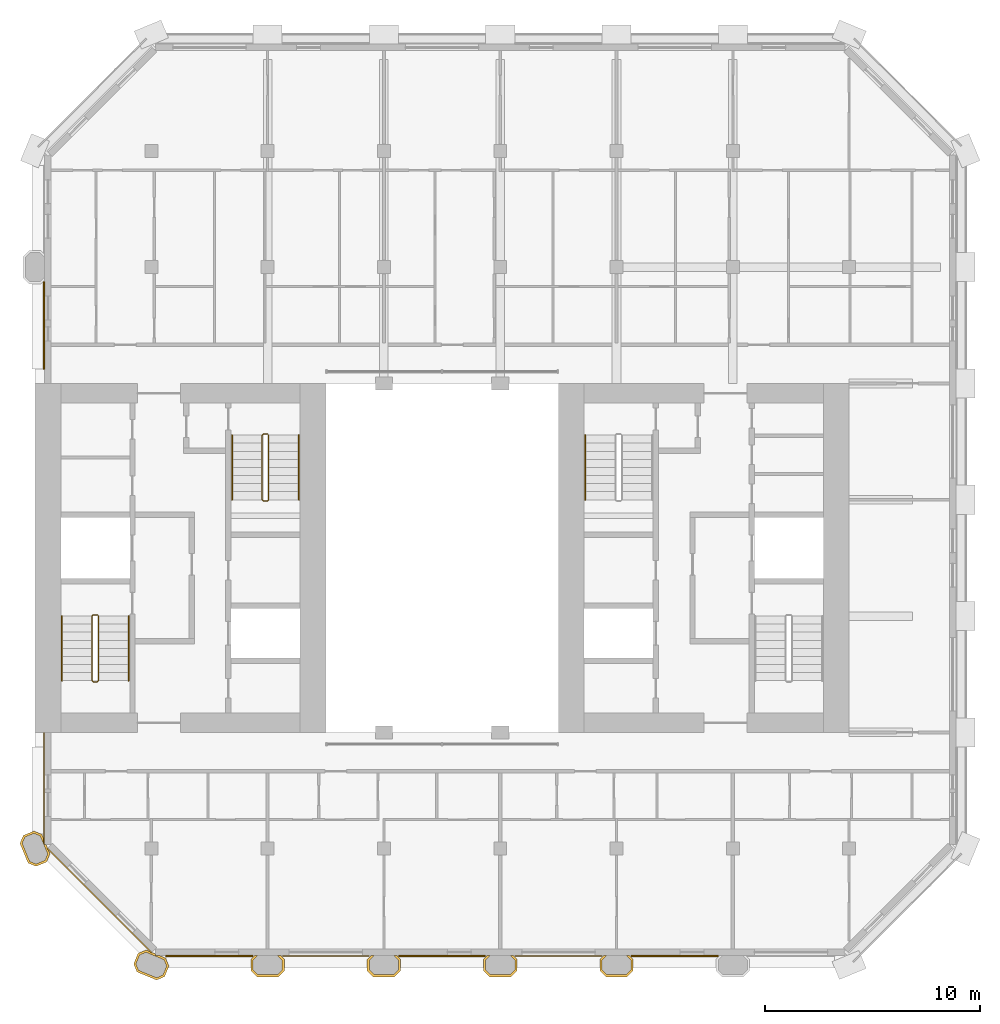
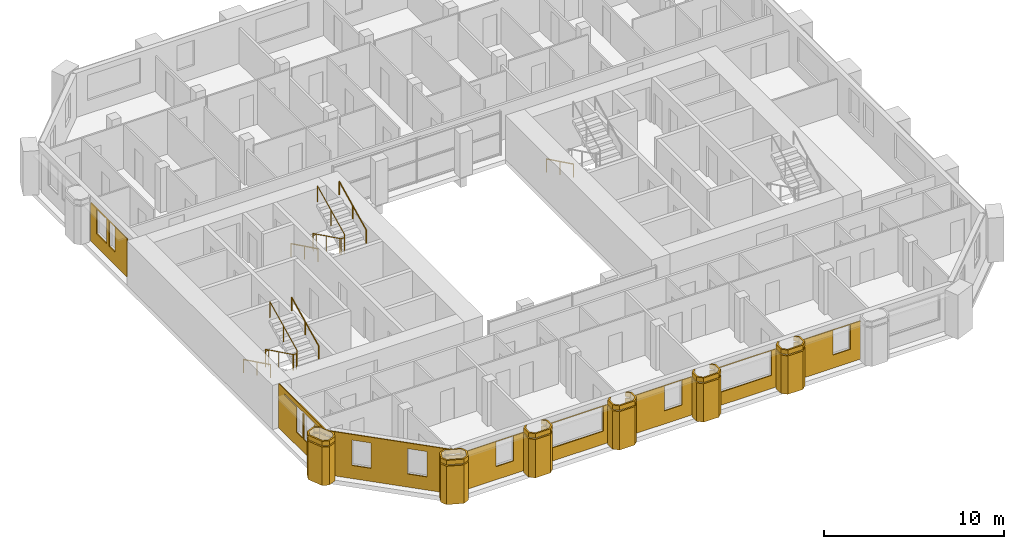
# One storey, part 11 of 13: 20 coverings, 7 railings.
"""IFC4 building model written with IfcOpenShell, lengths in metres."""

from ifc_helpers import new_model, si_unit, direction, frame, origin, origin_2d, place, context, subcontext, project, spatial, polyline, circle, outline, extrude, material, layer, layer_set, type_object, element, save


model = new_model("IFC4")

# Units and contexts
model_context = context("Model", 3, precision=1e-05, world=origin(), true_north=direction((0.0, 1.0)))
body_context = subcontext(model_context, "Body", "Model", "MODEL_VIEW")
ifc_project = project(units=[si_unit("LENGTHUNIT", "METRE"), si_unit("AREAUNIT", "SQUARE_METRE"), si_unit("VOLUMEUNIT", "CUBIC_METRE"), si_unit("PLANEANGLEUNIT", "RADIAN"), si_unit("MASSUNIT", "GRAM", prefix="KILO")], contexts=[model_context])

# Site, building, storey
site_placement = place(None, origin())
site = spatial("IfcSite", under=ifc_project, at=site_placement, CompositionType="ELEMENT")
building_placement = place(site_placement, origin())
building = spatial("IfcBuilding", under=site, at=building_placement, Name="Tabaq Tower and Sports Hall", CompositionType="ELEMENT")
storey_placement = place(building_placement, frame((0.0, 0.0, 298.300048828125)))
storey = spatial("IfcBuildingStorey", under=building, at=storey_placement, Name="L74", CompositionType="ELEMENT", Elevation=298.300048828125)

# Coverings
ifc_material_1 = material(Name="Precast concrete C60/75", Category="concrete")
ifc_layer_1 = layer(ifc_material_1, 0.10009765625)
ifc_layer_set_1 = layer_set([ifc_layer_1], Name="Column cladding 100")
covering_type_1 = type_object("IfcCoveringType", Name="Column cladding 100", PredefinedType="CLADDING", material=ifc_layer_set_1)
covering_1_placement = place(storey_placement, origin())
element("IfcCovering", 1, at=covering_1_placement, inside=storey, type_object=covering_type_1, Name="Column cladding L74 PC-2C-R2", PredefinedType="CLADDING", context=body_context, shape_type="SweptSolid", body=[
    extrude(outline(polyline([(5.450439453125, 9.982421875), (5.080078125, 10.1357421875), (4.7041015625, 11.04345703125), (4.857421875, 11.413818359375), (5.349609375, 11.61767578125), (5.7197265625, 11.46435546875), (5.789794921875, 11.295654296875), (5.789794921875, 11.04296875), (5.849609375, 11.04296875), (5.849609375, 10.986083984375), (5.91796875, 10.986083984375), (5.9814453125, 10.83251953125), (5.9501953125, 10.801025390625), (6.026123046875, 10.72509765625), (6.095947265625, 10.556396484375), (5.9423828125, 10.186279296875), (5.450439453125, 9.982421875)]), holes=[polyline([(5.349609375, 11.510009765625), (4.93359375, 11.337646484375), (4.811767578125, 11.04345703125), (5.15625, 10.2119140625), (5.450439453125, 10.08984375), (5.866455078125, 10.26220703125), (5.98828125, 10.556396484375), (5.643798828125, 11.38818359375), (5.349609375, 11.510009765625)])]), origin(), (0.0, 0.0, 1.0), 2.599853515625),
])
covering_2_placement = place(storey_placement, frame((0.0, 0.0, 2.699951171875)))
element("IfcCovering", 2, at=covering_2_placement, inside=storey, type_object=covering_type_1, Name="Column cladding L74 PC-2C-R2 2", PredefinedType="CLADDING", context=body_context, shape_type="SweptSolid", body=[
    extrude(outline(polyline([(5.450439453125, 9.982421875), (5.080078125, 10.1357421875), (4.7041015625, 11.04345703125), (4.857421875, 11.413818359375), (5.349609375, 11.61767578125), (5.7197265625, 11.46435546875), (5.789794921875, 11.295654296875), (5.789794921875, 11.04296875), (5.849609375, 11.04296875), (5.849609375, 10.986083984375), (5.91796875, 10.986083984375), (5.9814453125, 10.83251953125), (5.9501953125, 10.801025390625), (6.026123046875, 10.72509765625), (6.095947265625, 10.556396484375), (5.9423828125, 10.186279296875), (5.450439453125, 9.982421875)]), holes=[polyline([(5.349609375, 11.510009765625), (4.93359375, 11.337646484375), (4.811767578125, 11.04345703125), (5.15625, 10.2119140625), (5.450439453125, 10.08984375), (5.866455078125, 10.26220703125), (5.98828125, 10.556396484375), (5.643798828125, 11.38818359375), (5.349609375, 11.510009765625)])]), origin(), (0.0, 0.0, 1.0), 0.300048828125),
])
covering_3_placement = place(storey_placement, origin())
element("IfcCovering", 3, at=covering_3_placement, inside=storey, type_object=covering_type_1, Name="Column cladding L74 PC-3B-R2", PredefinedType="CLADDING", context=body_context, shape_type="SweptSolid", body=[
    extrude(outline(polyline([(11.413818359375, 4.857421875), (11.04345703125, 4.7041015625), (10.1357421875, 5.080078125), (9.982421875, 5.450439453125), (10.186279296875, 5.9423828125), (10.556396484375, 6.095947265625), (10.72509765625, 6.026123046875), (10.801025390625, 5.9501953125), (10.83251953125, 5.9814453125), (10.986083984375, 5.91796875), (10.986083984375, 5.849609375), (11.15087890625, 5.849609375), (11.46435546875, 5.7197265625), (11.61767578125, 5.349609375), (11.413818359375, 4.857421875)]), holes=[polyline([(10.26220703125, 5.866455078125), (10.08984375, 5.450439453125), (10.2119140625, 5.15625), (11.04345703125, 4.811767578125), (11.337646484375, 4.93359375), (11.510009765625, 5.349609375), (11.38818359375, 5.643798828125), (10.556396484375, 5.98828125), (10.26220703125, 5.866455078125)])]), origin(), (0.0, 0.0, 1.0), 2.599853515625),
])
covering_4_placement = place(storey_placement, frame((0.0, 0.0, 2.699951171875)))
element("IfcCovering", 4, at=covering_4_placement, inside=storey, type_object=covering_type_1, Name="Column cladding L74 PC-3B-R2 2", PredefinedType="CLADDING", context=body_context, shape_type="SweptSolid", body=[
    extrude(outline(polyline([(11.413818359375, 4.857421875), (11.04345703125, 4.7041015625), (10.1357421875, 5.080078125), (9.982421875, 5.450439453125), (10.186279296875, 5.9423828125), (10.556396484375, 6.095947265625), (10.72509765625, 6.026123046875), (10.801025390625, 5.9501953125), (10.83251953125, 5.9814453125), (10.986083984375, 5.91796875), (10.986083984375, 5.849609375), (11.15087890625, 5.849609375), (11.46435546875, 5.7197265625), (11.61767578125, 5.349609375), (11.413818359375, 4.857421875)]), holes=[polyline([(10.26220703125, 5.866455078125), (10.08984375, 5.450439453125), (10.2119140625, 5.15625), (11.04345703125, 4.811767578125), (11.337646484375, 4.93359375), (11.510009765625, 5.349609375), (11.38818359375, 5.643798828125), (10.556396484375, 5.98828125), (10.26220703125, 5.866455078125)])]), origin(), (0.0, 0.0, 1.0), 0.300048828125),
])
covering_5_placement = place(storey_placement, origin())
element("IfcCovering", 5, at=covering_5_placement, inside=storey, type_object=covering_type_1, Name="Column cladding L74 PC-4B-R2", PredefinedType="CLADDING", context=body_context, shape_type="SweptSolid", body=[
    extrude(outline(polyline([(15.42529296875, 5.666259765625), (15.608642578125, 5.849609375), (15.749267578125, 5.849609375), (15.524658203125, 5.625244140625), (15.524658203125, 5.1748046875), (15.749755859375, 4.94970703125), (16.650146484375, 4.94970703125), (16.875244140625, 5.1748046875), (16.875244140625, 5.625244140625), (16.650634765625, 5.849609375), (16.791259765625, 5.849609375), (16.974609375, 5.666259765625), (16.974609375, 5.1337890625), (16.69140625, 4.850341796875), (15.708740234375, 4.850341796875), (15.42529296875, 5.1337890625), (15.42529296875, 5.666259765625)])), origin(), (0.0, 0.0, 1.0), 2.599853515625),
])
covering_6_placement = place(storey_placement, frame((0.0, 0.0, 2.699951171875)))
element("IfcCovering", 6, at=covering_6_placement, inside=storey, type_object=covering_type_1, Name="Column cladding L74 PC-4B-R2 2", PredefinedType="CLADDING", context=body_context, shape_type="SweptSolid", body=[
    extrude(outline(polyline([(15.42529296875, 5.666259765625), (15.608642578125, 5.849609375), (15.749267578125, 5.849609375), (15.524658203125, 5.625244140625), (15.524658203125, 5.1748046875), (15.749755859375, 4.94970703125), (16.650146484375, 4.94970703125), (16.875244140625, 5.1748046875), (16.875244140625, 5.625244140625), (16.650634765625, 5.849609375), (16.791259765625, 5.849609375), (16.974609375, 5.666259765625), (16.974609375, 5.1337890625), (16.69140625, 4.850341796875), (15.708740234375, 4.850341796875), (15.42529296875, 5.1337890625), (15.42529296875, 5.666259765625)])), origin(), (0.0, 0.0, 1.0), 0.300048828125),
])
covering_7_placement = place(storey_placement, origin())
element("IfcCovering", 7, at=covering_7_placement, inside=storey, type_object=covering_type_1, Name="Column cladding L74 PC-5B-R2", PredefinedType="CLADDING", context=body_context, shape_type="SweptSolid", body=[
    extrude(outline(polyline([(20.8251953125, 5.666259765625), (21.0087890625, 5.849609375), (21.149169921875, 5.849609375), (20.9248046875, 5.625244140625), (20.9248046875, 5.1748046875), (21.14990234375, 4.94970703125), (22.050048828125, 4.94970703125), (22.275390625, 5.1748046875), (22.275390625, 5.625244140625), (22.05078125, 5.849609375), (22.19140625, 5.849609375), (22.374755859375, 5.666259765625), (22.374755859375, 5.1337890625), (22.09130859375, 4.850341796875), (21.108642578125, 4.850341796875), (20.8251953125, 5.1337890625), (20.8251953125, 5.666259765625)])), origin(), (0.0, 0.0, 1.0), 2.599853515625),
])
covering_8_placement = place(storey_placement, frame((0.0, 0.0, 2.699951171875)))
element("IfcCovering", 8, at=covering_8_placement, inside=storey, type_object=covering_type_1, Name="Column cladding L74 PC-5B-R2 2", PredefinedType="CLADDING", context=body_context, shape_type="SweptSolid", body=[
    extrude(outline(polyline([(20.8251953125, 5.666259765625), (21.0087890625, 5.849609375), (21.149169921875, 5.849609375), (20.9248046875, 5.625244140625), (20.9248046875, 5.1748046875), (21.14990234375, 4.94970703125), (22.050048828125, 4.94970703125), (22.275390625, 5.1748046875), (22.275390625, 5.625244140625), (22.05078125, 5.849609375), (22.19140625, 5.849609375), (22.374755859375, 5.666259765625), (22.374755859375, 5.1337890625), (22.09130859375, 4.850341796875), (21.108642578125, 4.850341796875), (20.8251953125, 5.1337890625), (20.8251953125, 5.666259765625)])), origin(), (0.0, 0.0, 1.0), 0.300048828125),
])
covering_9_placement = place(storey_placement, origin())
element("IfcCovering", 9, at=covering_9_placement, inside=storey, type_object=covering_type_1, Name="Column cladding L74 PC-6B-R2", PredefinedType="CLADDING", context=body_context, shape_type="SweptSolid", body=[
    extrude(outline(polyline([(26.225341796875, 5.666259765625), (26.40869140625, 5.849609375), (26.54931640625, 5.849609375), (26.32470703125, 5.625244140625), (26.32470703125, 5.1748046875), (26.5498046875, 4.94970703125), (27.4501953125, 4.94970703125), (27.67529296875, 5.1748046875), (27.67529296875, 5.625244140625), (27.45068359375, 5.849609375), (27.59130859375, 5.849609375), (27.774658203125, 5.666259765625), (27.774658203125, 5.1337890625), (27.4912109375, 4.850341796875), (26.5087890625, 4.850341796875), (26.225341796875, 5.1337890625), (26.225341796875, 5.666259765625)])), origin(), (0.0, 0.0, 1.0), 2.599853515625),
])
covering_10_placement = place(storey_placement, frame((0.0, 0.0, 2.699951171875)))
element("IfcCovering", 10, at=covering_10_placement, inside=storey, type_object=covering_type_1, Name="Column cladding L74 PC-6B-R2 2", PredefinedType="CLADDING", context=body_context, shape_type="SweptSolid", body=[
    extrude(outline(polyline([(26.225341796875, 5.666259765625), (26.40869140625, 5.849609375), (26.54931640625, 5.849609375), (26.32470703125, 5.625244140625), (26.32470703125, 5.1748046875), (26.5498046875, 4.94970703125), (27.4501953125, 4.94970703125), (27.67529296875, 5.1748046875), (27.67529296875, 5.625244140625), (27.45068359375, 5.849609375), (27.59130859375, 5.849609375), (27.774658203125, 5.666259765625), (27.774658203125, 5.1337890625), (27.4912109375, 4.850341796875), (26.5087890625, 4.850341796875), (26.225341796875, 5.1337890625), (26.225341796875, 5.666259765625)])), origin(), (0.0, 0.0, 1.0), 0.300048828125),
])
covering_11_placement = place(storey_placement, origin())
element("IfcCovering", 11, at=covering_11_placement, inside=storey, type_object=covering_type_1, Name="Column cladding L74 PC-7B-R2", PredefinedType="CLADDING", context=body_context, shape_type="SweptSolid", body=[
    extrude(outline(polyline([(31.625244140625, 5.666259765625), (31.80859375, 5.849609375), (31.94921875, 5.849609375), (31.724609375, 5.625244140625), (31.724609375, 5.1748046875), (31.949951171875, 4.94970703125), (32.85009765625, 4.94970703125), (33.0751953125, 5.1748046875), (33.0751953125, 5.625244140625), (32.850830078125, 5.849609375), (32.9912109375, 5.849609375), (33.1748046875, 5.666259765625), (33.1748046875, 5.1337890625), (32.891357421875, 4.850341796875), (31.90869140625, 4.850341796875), (31.625244140625, 5.1337890625), (31.625244140625, 5.666259765625)])), origin(), (0.0, 0.0, 1.0), 2.599853515625),
])
covering_12_placement = place(storey_placement, frame((0.0, 0.0, 2.699951171875)))
element("IfcCovering", 12, at=covering_12_placement, inside=storey, type_object=covering_type_1, Name="Column cladding L74 PC-7B-R2 2", PredefinedType="CLADDING", context=body_context, shape_type="SweptSolid", body=[
    extrude(outline(polyline([(31.625244140625, 5.666259765625), (31.80859375, 5.849609375), (31.94921875, 5.849609375), (31.724609375, 5.625244140625), (31.724609375, 5.1748046875), (31.949951171875, 4.94970703125), (32.85009765625, 4.94970703125), (33.0751953125, 5.1748046875), (33.0751953125, 5.625244140625), (32.850830078125, 5.849609375), (32.9912109375, 5.849609375), (33.1748046875, 5.666259765625), (33.1748046875, 5.1337890625), (32.891357421875, 4.850341796875), (31.90869140625, 4.850341796875), (31.625244140625, 5.1337890625), (31.625244140625, 5.666259765625)])), origin(), (0.0, 0.0, 1.0), 0.300048828125),
])

# Railings
ifc_material_2 = material(Name="Stainless steel", Category="steel")
railing_type_1 = type_object("IfcRailingType", Name="Stair guard", PredefinedType="GUARDRAIL", material=ifc_material_2)
railing_1_placement = place(storey_placement, frame((8.300048828125, 21.64990234375, 0.0)))
element("IfcRailing", 13, at=railing_1_placement, inside=storey, type_object=railing_type_1, Name="L74 ST1 stair guard 1", PredefinedType="GUARDRAIL", context=body_context, shape_type="SweptSolid", body=[
    extrude(circle(Radius=0.02392578125, at=origin_2d()), frame((0.0, 0.0, 1.076171875), z_axis=(-1.0, 0.0, 0.0), x_axis=(0.0, -1.0, 0.0)), (0.0, 0.0, 1.0), 0.199951171875),
    extrude(circle(Radius=0.02392578125, at=origin_2d()), frame((-0.199951171875, 0.0, 1.076171875), z_axis=(-0.254733673405, -0.25349107012, 0.933195066962), x_axis=(0.705375805398, -0.708833529934, 0.0)), (0.0, 0.0, 1.0), 0.196533203125),
    extrude(circle(Radius=0.02392578125, at=origin_2d()), frame((-0.25, -0.0498046875, 1.25927734375), z_axis=(0.0, -0.898397823093, 0.439182594671), x_axis=(1.0, 0.0, 0.0)), (0.0, 0.0, 1.0), 3.33935546875),
    extrude(circle(Radius=0.02392578125, at=origin_2d()), frame((-0.25, -3.0498046875, 2.72607421875), z_axis=(0.707106781187, -0.707106781187, 0.0), x_axis=(0.707106781187, 0.707106781187, 0.0)), (0.0, 0.0, 1.0), 0.07080078125),
    extrude(circle(Radius=0.02392578125, at=origin_2d()), frame((-0.199951171875, -3.099853515625, 2.72607421875), z_axis=(1.0, 0.0, 0.0), x_axis=(0.0, 1.0, 0.0)), (0.0, 0.0, 1.0), 0.199951171875),
    extrude(circle(Radius=0.02392578125, at=origin_2d()), frame((0.0, -3.099853515625, 2.72607421875), z_axis=(0.254653276557, 0.254653276557, 0.932900539971), x_axis=(-0.707106781187, 0.707106781187, 0.0)), (0.0, 0.0, 1.0), 0.196533203125),
    extrude(circle(Radius=0.02392578125, at=origin_2d()), frame((0.050048828125, -3.0498046875, 2.9091796875), z_axis=(0.0, 0.898368975038, 0.439241601728), x_axis=(-1.0, 0.0, 0.0)), (0.0, 0.0, 1.0), 3.33935546875),
    extrude(circle(Radius=0.02099609375, at=origin_2d()), origin(), (0.0, 0.0, 1.0), 1.052001953125),
    extrude(circle(Radius=0.02099609375, at=origin_2d()), frame((-0.199951171875, 0.0, 0.0)), (0.0, 0.0, 1.0), 1.052001953125),
    extrude(circle(Radius=0.02099609375, at=origin_2d()), frame((-0.25, -0.0498046875, 0.183349609375)), (0.0, 0.0, 1.0), 1.052001953125),
    extrude(circle(Radius=0.02099609375, at=origin_2d()), frame((-0.25, -1.5498046875, 0.91650390625)), (0.0, 0.0, 1.0), 1.052001953125),
    extrude(circle(Radius=0.02099609375, at=origin_2d()), frame((-0.25, -3.0498046875, 1.64990234375)), (0.0, 0.0, 1.0), 1.052001953125),
    extrude(circle(Radius=0.02099609375, at=origin_2d()), frame((-0.199951171875, -3.099853515625, 1.64990234375)), (0.0, 0.0, 1.0), 1.052001953125),
    extrude(circle(Radius=0.02099609375, at=origin_2d()), frame((0.0, -3.099853515625, 1.64990234375)), (0.0, 0.0, 1.0), 1.052001953125),
    extrude(circle(Radius=0.02099609375, at=origin_2d()), frame((0.050048828125, -3.0498046875, 1.833251953125)), (0.0, 0.0, 1.0), 1.052001953125),
    extrude(circle(Radius=0.02099609375, at=origin_2d()), frame((0.050048828125, -1.5498046875, 2.566650390625)), (0.0, 0.0, 1.0), 1.052001953125),
    extrude(circle(Radius=0.02099609375, at=origin_2d()), frame((0.050048828125, -0.0498046875, 3.300048828125)), (0.0, 0.0, 1.0), 1.052001953125),
])
railing_2_placement = place(storey_placement, frame((16.199951171875, 30.050048828125, 0.0)))
element("IfcRailing", 14, at=railing_2_placement, inside=storey, type_object=railing_type_1, Name="L74 ST2 stair guard 1", PredefinedType="GUARDRAIL", context=body_context, shape_type="SweptSolid", body=[
    extrude(circle(Radius=0.02392578125, at=origin_2d()), frame((0.0, 0.0, 1.076171875), z_axis=(-1.0, 0.0, 0.0), x_axis=(0.0, -1.0, 0.0)), (0.0, 0.0, 1.0), 0.199951171875),
    extrude(circle(Radius=0.02392578125, at=origin_2d()), frame((-0.199951171875, 0.0, 1.076171875), z_axis=(-0.254653276557, -0.254653276557, 0.932900539971), x_axis=(0.707106781187, -0.707106781187, 0.0)), (0.0, 0.0, 1.0), 0.196533203125),
    extrude(circle(Radius=0.02392578125, at=origin_2d()), frame((-0.25, -0.050048828125, 1.25927734375), z_axis=(0.0, -0.898397823093, 0.439182594671), x_axis=(1.0, 0.0, 0.0)), (0.0, 0.0, 1.0), 3.33935546875),
    extrude(circle(Radius=0.02392578125, at=origin_2d()), frame((-0.25, -3.050048828125, 2.72607421875), z_axis=(0.707106781187, -0.707106781187, 0.0), x_axis=(0.707106781187, 0.707106781187, 0.0)), (0.0, 0.0, 1.0), 0.07080078125),
    extrude(circle(Radius=0.02392578125, at=origin_2d()), frame((-0.199951171875, -3.10009765625, 2.72607421875), z_axis=(1.0, 0.0, 0.0), x_axis=(0.0, 1.0, 0.0)), (0.0, 0.0, 1.0), 0.199951171875),
    extrude(circle(Radius=0.02392578125, at=origin_2d()), frame((0.0, -3.10009765625, 2.72607421875), z_axis=(0.254653276557, 0.254653276557, 0.932900539971), x_axis=(-0.707106781187, 0.707106781187, 0.0)), (0.0, 0.0, 1.0), 0.196533203125),
    extrude(circle(Radius=0.02392578125, at=origin_2d()), frame((0.050048828125, -3.050048828125, 2.9091796875), z_axis=(0.0, 0.898368975038, 0.439241601728), x_axis=(-1.0, 0.0, 0.0)), (0.0, 0.0, 1.0), 3.33935546875),
    extrude(circle(Radius=0.02099609375, at=origin_2d()), origin(), (0.0, 0.0, 1.0), 1.052001953125),
    extrude(circle(Radius=0.02099609375, at=origin_2d()), frame((-0.199951171875, 0.0, 0.0)), (0.0, 0.0, 1.0), 1.052001953125),
    extrude(circle(Radius=0.02099609375, at=origin_2d()), frame((-0.25, -0.050048828125, 0.183349609375)), (0.0, 0.0, 1.0), 1.052001953125),
    extrude(circle(Radius=0.02099609375, at=origin_2d()), frame((-0.25, -1.550048828125, 0.91650390625)), (0.0, 0.0, 1.0), 1.052001953125),
    extrude(circle(Radius=0.02099609375, at=origin_2d()), frame((-0.25, -3.050048828125, 1.64990234375)), (0.0, 0.0, 1.0), 1.052001953125),
    extrude(circle(Radius=0.02099609375, at=origin_2d()), frame((-0.199951171875, -3.10009765625, 1.64990234375)), (0.0, 0.0, 1.0), 1.052001953125),
    extrude(circle(Radius=0.02099609375, at=origin_2d()), frame((0.0, -3.10009765625, 1.64990234375)), (0.0, 0.0, 1.0), 1.052001953125),
    extrude(circle(Radius=0.02099609375, at=origin_2d()), frame((0.050048828125, -3.050048828125, 1.833251953125)), (0.0, 0.0, 1.0), 1.052001953125),
    extrude(circle(Radius=0.02099609375, at=origin_2d()), frame((0.050048828125, -1.550048828125, 2.566650390625)), (0.0, 0.0, 1.0), 1.052001953125),
    extrude(circle(Radius=0.02099609375, at=origin_2d()), frame((0.050048828125, -0.050048828125, 3.300048828125)), (0.0, 0.0, 1.0), 1.052001953125),
])
ifc_material_3 = material(Name="Stainless steel", Category="steel")
railing_type_2 = type_object("IfcRailingType", Name="Stair handrail", PredefinedType="HANDRAIL", material=ifc_material_3)
railing_3_placement = place(storey_placement, frame((6.64990234375, 21.60009765625, 0.183349609375)))
element("IfcRailing", 15, at=railing_3_placement, inside=storey, type_object=railing_type_2, Name="L74 ST1 stair handrail 1", PredefinedType="HANDRAIL", context=body_context, shape_type="SweptSolid", body=[
    extrude(circle(Radius=0.02392578125, at=origin_2d()), frame((0.0, 0.0, 0.8759765625), z_axis=(0.0, -0.898397823093, 0.439182594671), x_axis=(1.0, 0.0, 0.0)), (0.0, 0.0, 1.0), 3.33935546875),
    extrude(circle(Radius=0.02099609375, at=origin_2d()), origin(), (0.0, 0.0, 1.0), 0.851806640625),
    extrude(circle(Radius=0.02099609375, at=origin_2d()), frame((0.0, -1.5, 0.7333984375)), (0.0, 0.0, 1.0), 0.851806640625),
    extrude(circle(Radius=0.02099609375, at=origin_2d()), frame((0.0, -3.0, 1.466552734375)), (0.0, 0.0, 1.0), 0.851806640625),
])
railing_4_placement = place(storey_placement, frame((9.75, 18.60009765625, 1.833251953125)))
element("IfcRailing", 16, at=railing_4_placement, inside=storey, type_object=railing_type_2, Name="L74 ST1 stair handrail 2", PredefinedType="HANDRAIL", context=body_context, shape_type="SweptSolid", body=[
    extrude(circle(Radius=0.02392578125, at=origin_2d()), frame((0.0, 0.0, 0.8759765625), z_axis=(0.0, 0.898368975038, 0.439241601728), x_axis=(-1.0, 0.0, 0.0)), (0.0, 0.0, 1.0), 3.33935546875),
    extrude(circle(Radius=0.02099609375, at=origin_2d()), origin(), (0.0, 0.0, 1.0), 0.851806640625),
    extrude(circle(Radius=0.02099609375, at=origin_2d()), frame((0.0, 1.5, 0.7333984375)), (0.0, 0.0, 1.0), 0.851806640625),
    extrude(circle(Radius=0.02099609375, at=origin_2d()), frame((0.0, 3.0, 1.466796875)), (0.0, 0.0, 1.0), 0.851806640625),
])
railing_5_placement = place(storey_placement, frame((14.550048828125, 30.0, 0.183349609375)))
element("IfcRailing", 17, at=railing_5_placement, inside=storey, type_object=railing_type_2, Name="L74 ST2 stair handrail 1", PredefinedType="HANDRAIL", context=body_context, shape_type="SweptSolid", body=[
    extrude(circle(Radius=0.02392578125, at=origin_2d()), frame((0.0, 0.0, 0.8759765625), z_axis=(0.0, -0.898397823093, 0.439182594671), x_axis=(1.0, 0.0, 0.0)), (0.0, 0.0, 1.0), 3.33935546875),
    extrude(circle(Radius=0.02099609375, at=origin_2d()), origin(), (0.0, 0.0, 1.0), 0.851806640625),
    extrude(circle(Radius=0.02099609375, at=origin_2d()), frame((0.0, -1.5, 0.7333984375)), (0.0, 0.0, 1.0), 0.851806640625),
    extrude(circle(Radius=0.02099609375, at=origin_2d()), frame((0.0, -3.0, 1.466552734375)), (0.0, 0.0, 1.0), 0.851806640625),
])
railing_6_placement = place(storey_placement, frame((17.64990234375, 27.0, 1.833251953125)))
element("IfcRailing", 18, at=railing_6_placement, inside=storey, type_object=railing_type_2, Name="L74 ST2 stair handrail 2", PredefinedType="HANDRAIL", context=body_context, shape_type="SweptSolid", body=[
    extrude(circle(Radius=0.02392578125, at=origin_2d()), frame((0.0, 0.0, 0.8759765625), z_axis=(0.0, 0.898368975038, 0.439241601728), x_axis=(-1.0, 0.0, 0.0)), (0.0, 0.0, 1.0), 3.33935546875),
    extrude(circle(Radius=0.02099609375, at=origin_2d()), origin(), (0.0, 0.0, 1.0), 0.851806640625),
    extrude(circle(Radius=0.02099609375, at=origin_2d()), frame((0.0, 1.5, 0.7333984375)), (0.0, 0.0, 1.0), 0.851806640625),
    extrude(circle(Radius=0.02099609375, at=origin_2d()), frame((0.0, 3.0, 1.466796875)), (0.0, 0.0, 1.0), 0.851806640625),
])
railing_7_placement = place(storey_placement, frame((30.949951171875, 30.0, 0.183349609375)))
element("IfcRailing", 19, at=railing_7_placement, inside=storey, type_object=railing_type_2, Name="L74 ST4 stair handrail 1", PredefinedType="HANDRAIL", context=body_context, shape_type="SweptSolid", body=[
    extrude(circle(Radius=0.02392578125, at=origin_2d()), frame((0.0, 0.0, 0.8759765625), z_axis=(0.0, -0.898397823093, 0.439182594671), x_axis=(1.0, 0.0, 0.0)), (0.0, 0.0, 1.0), 3.33935546875),
    extrude(circle(Radius=0.02099609375, at=origin_2d()), origin(), (0.0, 0.0, 1.0), 0.851806640625),
    extrude(circle(Radius=0.02099609375, at=origin_2d()), frame((0.0, -1.5, 0.7333984375)), (0.0, 0.0, 1.0), 0.851806640625),
    extrude(circle(Radius=0.02099609375, at=origin_2d()), frame((0.0, -3.0, 1.466552734375)), (0.0, 0.0, 1.0), 0.851806640625),
])

# Coverings
ifc_material_4 = material(Name="Precast concrete C60/75", Category="concrete")
ifc_layer_2 = layer(ifc_material_4, 0.06005859375)
ifc_layer_set_2 = layer_set([ifc_layer_2], Name="White precast cladding panel 60 C60/75")
covering_type_2 = type_object("IfcCoveringType", Name="White precast cladding panel 60 C60/75", PredefinedType="CLADDING", material=ifc_layer_set_2)
covering_13_placement = place(storey_placement, frame((11.465087890625, 5.820068359375, 0.0), z_axis=(0.0, 0.0, 1.0), x_axis=(1.0, 0.0, 0.0)))
element("IfcCovering", 20, at=covering_13_placement, inside=storey, type_object=covering_type_2, Name="White precast cladding panel L74 wall00", PredefinedType="CLADDING", context=body_context, shape_type="SweptSolid", body=[
    extrude(outline(polyline([(0.0, 0.0), (4.0498046875, 0.0), (4.0498046875, 2.58984375), (0.0, 2.58984375), (0.0, 0.0)]), holes=[polyline([(3.39501953125, 0.889892578125), (2.27490234375, 0.889892578125), (2.27490234375, 2.56005859375), (3.39501953125, 2.56005859375), (3.39501953125, 0.889892578125)])]), frame((0.0, 0.030029296875, 0.0), z_axis=(0.0, -1.0, 0.0), x_axis=(1.0, 0.0, 0.0)), (0.0, 0.0, 1.0), 0.06005859375),
])
covering_14_placement = place(storey_placement, frame((16.885009765625, 5.820068359375, 0.0), z_axis=(0.0, 0.0, 1.0), x_axis=(1.0, 0.0, 0.0)))
element("IfcCovering", 21, at=covering_14_placement, inside=storey, type_object=covering_type_2, Name="White precast cladding panel L74 wall00 2", PredefinedType="CLADDING", context=body_context, shape_type="SweptSolid", body=[
    extrude(outline(polyline([(0.0, 0.0), (4.030029296875, 0.0), (4.030029296875, 2.58984375), (0.0, 2.58984375), (0.0, 0.0)]), holes=[polyline([(3.72509765625, 0.889892578125), (0.304931640625, 0.889892578125), (0.304931640625, 2.56005859375), (3.72509765625, 2.56005859375), (3.72509765625, 0.889892578125)])]), frame((0.0, 0.030029296875, 0.0), z_axis=(0.0, -1.0, 0.0), x_axis=(1.0, 0.0, 0.0)), (0.0, 0.0, 1.0), 0.06005859375),
])
covering_15_placement = place(storey_placement, frame((22.284912109375, 5.820068359375, 0.0), z_axis=(0.0, 0.0, 1.0), x_axis=(1.0, 0.0, 0.0)))
element("IfcCovering", 22, at=covering_15_placement, inside=storey, type_object=covering_type_2, Name="White precast cladding panel L74 wall00 3", PredefinedType="CLADDING", context=body_context, shape_type="SweptSolid", body=[
    extrude(outline(polyline([(0.0, 0.0), (4.030029296875, 0.0), (4.030029296875, 2.58984375), (0.0, 2.58984375), (0.0, 0.0)]), holes=[polyline([(3.375, 0.889892578125), (2.2548828125, 0.889892578125), (2.2548828125, 2.56005859375), (3.375, 2.56005859375), (3.375, 0.889892578125)])]), frame((0.0, 0.030029296875, 0.0), z_axis=(0.0, -1.0, 0.0), x_axis=(1.0, 0.0, 0.0)), (0.0, 0.0, 1.0), 0.06005859375),
])
covering_16_placement = place(storey_placement, frame((27.68505859375, 5.820068359375, 0.0), z_axis=(0.0, 0.0, 1.0), x_axis=(1.0, 0.0, 0.0)))
element("IfcCovering", 23, at=covering_16_placement, inside=storey, type_object=covering_type_2, Name="White precast cladding panel L74 wall00 4", PredefinedType="CLADDING", context=body_context, shape_type="SweptSolid", body=[
    extrude(outline(polyline([(0.0, 0.0), (4.030029296875, 0.0), (4.030029296875, 2.58984375), (0.0, 2.58984375), (0.0, 0.0)]), holes=[polyline([(3.72509765625, 0.889892578125), (0.304931640625, 0.889892578125), (0.304931640625, 2.56005859375), (3.72509765625, 2.56005859375), (3.72509765625, 0.889892578125)])]), frame((0.0, 0.030029296875, 0.0), z_axis=(0.0, -1.0, 0.0), x_axis=(1.0, 0.0, 0.0)), (0.0, 0.0, 1.0), 0.06005859375),
])
covering_17_placement = place(storey_placement, frame((33.0849609375, 5.820068359375, 0.0), z_axis=(0.0, 0.0, 1.0), x_axis=(1.0, 0.0, 0.0)))
element("IfcCovering", 24, at=covering_17_placement, inside=storey, type_object=covering_type_2, Name="White precast cladding panel L74 wall00 5", PredefinedType="CLADDING", context=body_context, shape_type="SweptSolid", body=[
    extrude(outline(polyline([(0.0, 0.0), (4.030029296875, 0.0), (4.030029296875, 2.58984375), (0.0, 2.58984375), (0.0, 0.0)]), holes=[polyline([(3.375, 0.889892578125), (2.2548828125, 0.889892578125), (2.2548828125, 2.56005859375), (3.375, 2.56005859375), (3.375, 0.889892578125)])]), frame((0.0, 0.030029296875, 0.0), z_axis=(0.0, -1.0, 0.0), x_axis=(1.0, 0.0, 0.0)), (0.0, 0.0, 1.0), 0.06005859375),
])
covering_18_placement = place(storey_placement, frame((5.820068359375, 37.114990234375, 0.0), z_axis=(0.0, 0.0, 1.0), x_axis=(0.0, -1.0, 0.0)))
element("IfcCovering", 25, at=covering_18_placement, inside=storey, type_object=covering_type_2, Name="White precast cladding panel L74 wall06 2", PredefinedType="CLADDING", context=body_context, shape_type="SweptSolid", body=[
    extrude(outline(polyline([(0.0, 0.0), (4.050048828125, 0.0), (4.050048828125, 2.58984375), (0.0, 2.58984375), (0.0, 0.0)]), holes=[polyline([(0.655029296875, 0.889892578125), (0.655029296875, 2.56005859375), (1.77490234375, 2.56005859375), (1.77490234375, 0.889892578125), (0.655029296875, 0.889892578125)]), polyline([(2.080078125, 0.889892578125), (2.080078125, 2.56005859375), (2.75, 2.56005859375), (2.75, 0.889892578125), (2.080078125, 0.889892578125)])]), frame((0.0, 0.030029296875, 0.0), z_axis=(0.0, -1.0, 0.0), x_axis=(1.0, 0.0, 0.0)), (0.0, 0.0, 1.0), 0.06005859375),
])
covering_19_placement = place(storey_placement, frame((5.820068359375, 16.199951171875, 0.0), z_axis=(0.0, 0.0, 1.0), x_axis=(0.0, -1.0, 0.0)))
element("IfcCovering", 26, at=covering_19_placement, inside=storey, type_object=covering_type_2, Name="White precast cladding panel L74 wall06-1", PredefinedType="CLADDING", context=body_context, shape_type="SweptSolid", body=[
    extrude(outline(polyline([(0.0, 0.0), (5.15673828125, 0.0), (5.15673828125, 3.0), (0.0, 3.0), (0.0, 0.0)]), holes=[polyline([(1.965087890625, 2.58984375), (0.6650390625, 2.58984375), (0.6650390625, 2.7099609375), (4.735107421875, 2.7099609375), (4.735107421875, 2.58984375), (3.909912109375, 2.58984375), (3.909912109375, 0.889892578125), (2.7900390625, 0.889892578125), (2.7900390625, 2.58984375), (2.635009765625, 2.58984375), (2.635009765625, 0.889892578125), (1.965087890625, 0.889892578125), (1.965087890625, 2.58984375)])]), frame((0.0, 0.030029296875, 0.0), z_axis=(0.0, -1.0, 0.0), x_axis=(1.0, 0.0, 0.0)), (0.0, 0.0, 1.0), 0.06005859375),
])
covering_20_placement = place(storey_placement, frame((5.9716796875, 10.822265625, 0.0), z_axis=(0.0, 0.0, 1.0), x_axis=(0.707106781187, -0.707106781187, 0.0)))
element("IfcCovering", 27, at=covering_20_placement, inside=storey, type_object=covering_type_2, Name="White precast cladding panel L74 wall07", PredefinedType="CLADDING", context=body_context, shape_type="SweptSolid", body=[
    extrude(outline(polyline([(0.0, 0.0), (6.85986328125, 0.0), (6.85986328125, 3.0), (0.0, 3.0), (0.0, 0.0)]), holes=[polyline([(1.269775390625, 2.60986328125), (2.389892578125, 2.60986328125), (2.389892578125, 0.889892578125), (1.269775390625, 0.889892578125), (1.269775390625, 2.60986328125)]), polyline([(4.4697265625, 2.60986328125), (5.58984375, 2.60986328125), (5.58984375, 0.889892578125), (4.4697265625, 0.889892578125), (4.4697265625, 2.60986328125)])]), frame((0.0, 0.030029296875, 0.0), z_axis=(0.0, -1.0, 0.0), x_axis=(1.0, 0.0, 0.0)), (0.0, 0.0, 1.0), 0.06005859375),
])

save(model, "model.ifc")
